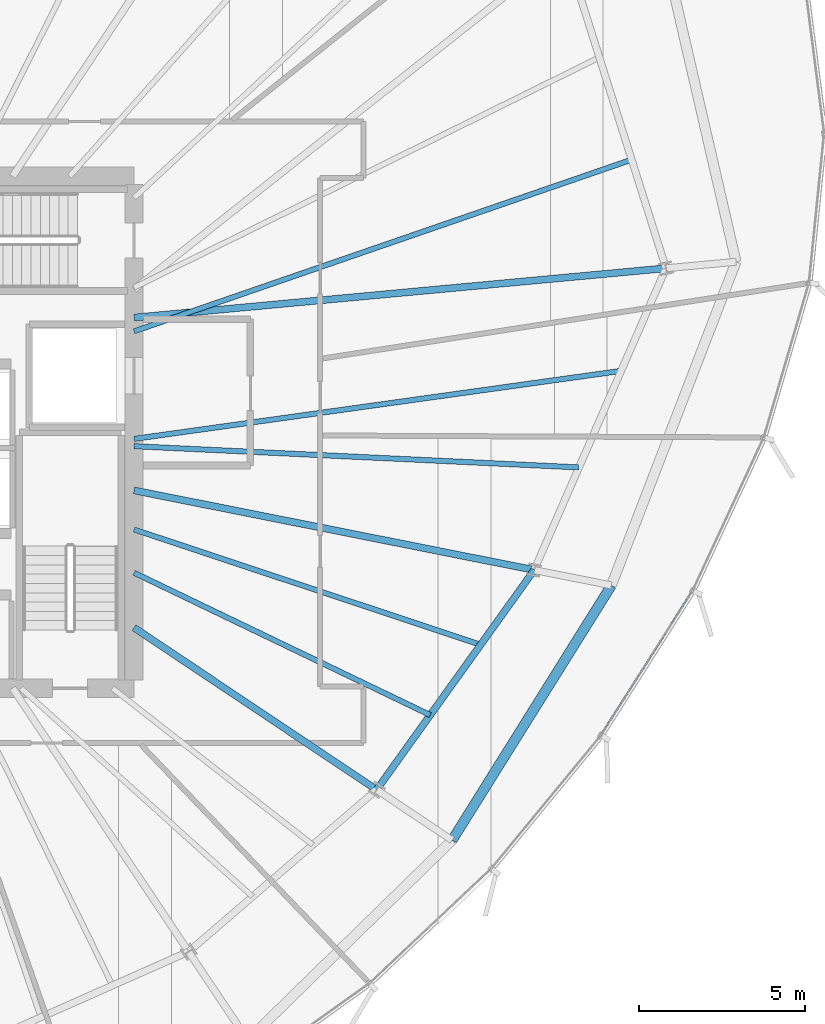
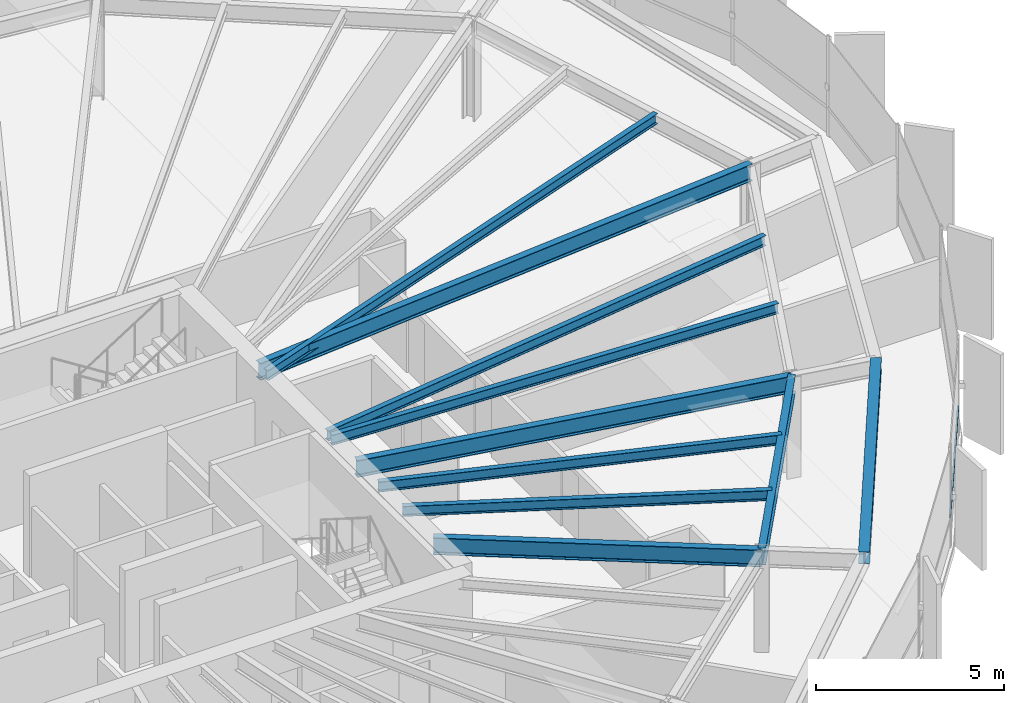
# One storey, part 15 of 32: 10 beams, 1 member, 1 element without a shape of its own.
"""IFC4 building model written with IfcOpenShell, lengths in metres."""

from ifc_helpers import new_model, si_unit, direction, frame, origin, origin_2d, place, context, subcontext, project, spatial, hollow_rectangle, i_section, extrude, source, transform, mapped, material, layer, layer_set, material_profile, profile_set, type_object, element, aggregate, save


model = new_model("IFC4")

# Units and contexts
model_context = context("Model", 3, precision=1e-05, world=origin(), true_north=direction((0.0, 1.0)))
body_context = subcontext(model_context, "Body", "Model", "MODEL_VIEW")
ifc_project = project(units=[si_unit("LENGTHUNIT", "METRE"), si_unit("AREAUNIT", "SQUARE_METRE"), si_unit("VOLUMEUNIT", "CUBIC_METRE"), si_unit("PLANEANGLEUNIT", "RADIAN"), si_unit("MASSUNIT", "GRAM", prefix="KILO"), si_unit("THERMODYNAMICTEMPERATUREUNIT", "KELVIN")], contexts=[model_context])

# Site, building, storey
site_placement = place(None, origin())
site = spatial("IfcSite", under=ifc_project, at=site_placement, CompositionType="ELEMENT")
building_placement = place(site_placement, origin())
building = spatial("IfcBuilding", under=site, at=building_placement, Name="Kethvar Cultural Tower", CompositionType="ELEMENT")
storey_placement = place(building_placement, frame((0.0, 0.0, 160.75)))
storey = spatial("IfcBuildingStorey", under=building, at=storey_placement, Name="L41", CompositionType="ELEMENT", Elevation=160.75)

# Beams
ifc_material_1 = material(Name="Steel S355J2", Category="steel")
ifc_material_profile_1 = material_profile(ifc_material_1, i_section(OverallWidth=0.2099609375, OverallDepth=0.550048828125, WebThickness=0.010986328125, FlangeThickness=0.01708984375, FilletRadius=0.02392578125, at=origin_2d()), Name="Steel S355J2 — IPE550")
ifc_profile_set_1 = profile_set([ifc_material_profile_1], Name="Steel S355J2 — IPE550")
beam_type_1 = type_object("IfcBeamType", Name="BM-IPE550", PredefinedType="BEAM", material=ifc_profile_set_1)
shared_shape_1 = source(origin(), body_context, "Body", "SweptSolid", [
    extrude(i_section(OverallWidth=0.2099609375, OverallDepth=0.550048828125, WebThickness=0.010986328125, FlangeThickness=0.01708984375, FilletRadius=0.02392578125, at=origin_2d()), origin(), (0.0, 0.0, 1.0), 16.071044921875),
])
beam_1_placement = place(storey_placement, frame((55.60009765625, 31.25, 3.02294921875), z_axis=(0.995731009363, 0.092302529718, 0.0), x_axis=(-0.092302529718, 0.995731009363, 0.0)))
element("IfcBeam", 1, at=beam_1_placement, inside=storey, type_object=beam_type_1, Name="L41 Primary Radial Beam RB-01", PredefinedType="BEAM", context=body_context, shape_type="MappedRepresentation", body=[
    mapped(shared_shape_1, transform((0.0, 0.0, 0.0), scale=1.0)),
])
shared_shape_2 = source(origin(), body_context, "Body", "SweptSolid", [
    extrude(i_section(OverallWidth=0.2099609375, OverallDepth=0.550048828125, WebThickness=0.010986328125, FlangeThickness=0.01708984375, FilletRadius=0.02392578125, at=origin_2d()), origin(), (0.0, 0.0, 1.0), 8.77783203125),
])
beam_2_placement = place(storey_placement, frame((55.60009765625, 21.919921875, 3.02294921875), z_axis=(0.831472186778, -0.555566380026, 0.0), x_axis=(0.555566380026, 0.831472186778, 0.0)))
element("IfcBeam", 2, at=beam_2_placement, inside=storey, type_object=beam_type_1, Name="L41 Primary Radial Beam RB-15", PredefinedType="BEAM", context=body_context, shape_type="MappedRepresentation", body=[
    mapped(shared_shape_2, transform((0.0, 0.0, 0.0), scale=1.0)),
])
shared_shape_3 = source(origin(), body_context, "Body", "SweptSolid", [
    extrude(i_section(OverallWidth=0.2099609375, OverallDepth=0.550048828125, WebThickness=0.010986328125, FlangeThickness=0.01708984375, FilletRadius=0.02392578125, at=origin_2d()), origin(), (0.0, 0.0, 1.0), 12.2744140625),
])
beam_3_placement = place(storey_placement, frame((55.60009765625, 26.049560546875, 3.02294921875), z_axis=(0.980782878234, -0.195102398146, 0.0), x_axis=(0.195102398146, 0.980782878234, 0.0)))
element("IfcBeam", 3, at=beam_3_placement, inside=storey, type_object=beam_type_1, Name="L41 Primary Radial Beam RB-16", PredefinedType="BEAM", context=body_context, shape_type="MappedRepresentation", body=[
    mapped(shared_shape_3, transform((0.0, 0.0, 0.0), scale=1.0)),
])
ifc_material_profile_2 = material_profile(ifc_material_1, i_section(OverallWidth=0.159912109375, OverallDepth=0.330078125, WebThickness=0.007568359375, FlangeThickness=0.011474609375, FilletRadius=0.01806640625, at=origin_2d()), Name="Steel S355J2 — IPE330")
ifc_profile_set_2 = profile_set([ifc_material_profile_2], Name="Steel S355J2 — IPE330")
beam_type_2 = type_object("IfcBeamType", Name="BM-J330", PredefinedType="JOIST", material=ifc_profile_set_2)
shared_shape_4 = source(origin(), body_context, "Body", "SweptSolid", [
    extrude(i_section(OverallWidth=0.159912109375, OverallDepth=0.330078125, WebThickness=0.007568359375, FlangeThickness=0.011474609375, FilletRadius=0.01806640625, at=origin_2d()), origin(), (0.0, 0.0, 1.0), 15.836669921875),
])
beam_4_placement = place(storey_placement, frame((55.60009765625, 30.836181640625, 3.133056640625), z_axis=(0.945315135904, 0.326158387644, 0.0), x_axis=(-0.326158387644, 0.945315135904, 0.0)))
element("IfcBeam", 4, at=beam_4_placement, inside=storey, type_object=beam_type_2, Name="L41 Composite Floor Joist J-01A", PredefinedType="JOIST", context=body_context, shape_type="MappedRepresentation", body=[
    mapped(shared_shape_4, transform((0.0, 0.0, 0.0), scale=1.0)),
])
shared_shape_5 = source(origin(), body_context, "Body", "SweptSolid", [
    extrude(i_section(OverallWidth=0.2099609375, OverallDepth=0.550048828125, WebThickness=0.010986328125, FlangeThickness=0.01708984375, FilletRadius=0.02392578125, at=origin_2d()), origin(), (0.0, 0.0, 1.0), 8.13525390625),
])
beam_5_placement = place(storey_placement, frame((62.898681640625, 17.043212890625, 3.02294921875), z_axis=(0.582656731995, 0.812718359988, 0.0), x_axis=(-0.812718359988, 0.582656731995, 0.0)))
element("IfcBeam", 5, at=beam_5_placement, inside=storey, type_object=beam_type_1, Name="L41 Column Ring Tie Beam CR-15", PredefinedType="BEAM", context=body_context, shape_type="MappedRepresentation", body=[
    mapped(shared_shape_5, transform((0.0, 0.0, 0.0), scale=1.0)),
])
shared_shape_6 = source(origin(), body_context, "Body", "SweptSolid", [
    extrude(i_section(OverallWidth=0.159912109375, OverallDepth=0.330078125, WebThickness=0.007568359375, FlangeThickness=0.011474609375, FilletRadius=0.01806640625, at=origin_2d()), origin(), (0.0, 0.0, 1.0), 9.885009765625),
])
beam_6_placement = place(storey_placement, frame((55.60009765625, 23.572021484375, 3.133056640625), z_axis=(0.901369611334, -0.43305060185, 0.0), x_axis=(0.43305060185, 0.901369611334, 0.0)))
element("IfcBeam", 6, at=beam_6_placement, inside=storey, type_object=beam_type_2, Name="L41 Composite Floor Joist J-15A", PredefinedType="JOIST", context=body_context, shape_type="MappedRepresentation", body=[
    mapped(shared_shape_6, transform((0.0, 0.0, 0.0), scale=1.0)),
])
shared_shape_7 = source(origin(), body_context, "Body", "SweptSolid", [
    extrude(i_section(OverallWidth=0.159912109375, OverallDepth=0.330078125, WebThickness=0.007568359375, FlangeThickness=0.011474609375, FilletRadius=0.01806640625, at=origin_2d()), origin(), (0.0, 0.0, 1.0), 10.98828125),
])
beam_7_placement = place(storey_placement, frame((55.60009765625, 24.8740234375, 3.133056640625), z_axis=(0.948918548228, -0.315521138481, 0.0), x_axis=(0.315521138481, 0.948918548228, 0.0)))
element("IfcBeam", 7, at=beam_7_placement, inside=storey, type_object=beam_type_2, Name="L41 Composite Floor Joist J-15B", PredefinedType="JOIST", context=body_context, shape_type="MappedRepresentation", body=[
    mapped(shared_shape_7, transform((0.0, 0.0, 0.0), scale=1.0)),
])
shared_shape_8 = source(origin(), body_context, "Body", "SweptSolid", [
    extrude(i_section(OverallWidth=0.159912109375, OverallDepth=0.330078125, WebThickness=0.007568359375, FlangeThickness=0.011474609375, FilletRadius=0.01806640625, at=origin_2d()), origin(), (0.0, 0.0, 1.0), 13.4013671875),
])
beam_8_placement = place(storey_placement, frame((55.60009765625, 27.380126953125, 3.133056640625), z_axis=(0.998864631653, -0.047638719894, 0.0), x_axis=(0.047638719894, 0.998864631653, 0.0)))
element("IfcBeam", 8, at=beam_8_placement, inside=storey, type_object=beam_type_2, Name="L41 Composite Floor Joist J-16A", PredefinedType="JOIST", context=body_context, shape_type="MappedRepresentation", body=[
    mapped(shared_shape_8, transform((0.0, 0.0, 0.0), scale=1.0)),
])
shared_shape_9 = source(origin(), body_context, "Body", "SweptSolid", [
    extrude(i_section(OverallWidth=0.159912109375, OverallDepth=0.330078125, WebThickness=0.007568359375, FlangeThickness=0.011474609375, FilletRadius=0.01806640625, at=origin_2d()), origin(), (0.0, 0.0, 1.0), 14.797119140625),
])
beam_9_placement = place(storey_placement, frame((55.60009765625, 27.60009765625, 3.133056640625), z_axis=(0.990388450305, 0.138313836986, 0.0), x_axis=(-0.138313836986, 0.990388450305, 0.0)))
element("IfcBeam", 9, at=beam_9_placement, inside=storey, type_object=beam_type_2, Name="L41 Composite Floor Joist J-16B", PredefinedType="JOIST", context=body_context, shape_type="MappedRepresentation", body=[
    mapped(shared_shape_9, transform((0.0, 0.0, 0.0), scale=1.0)),
])
ifc_material_profile_3 = material_profile(ifc_material_1, i_section(OverallWidth=0.300048828125, OverallDepth=0.39990234375, WebThickness=0.013427734375, FlangeThickness=0.02392578125, FilletRadius=0.027099609375, at=origin_2d()), Name="Steel S355J2 — HEB400")
ifc_profile_set_3 = profile_set([ifc_material_profile_3], Name="Steel S355J2 — HEB400")
beam_type_3 = type_object("IfcBeamType", Name="BM-SP400", PredefinedType="SPANDREL", material=ifc_profile_set_3)
shared_shape_10 = source(origin(), body_context, "Body", "SweptSolid", [
    extrude(i_section(OverallWidth=0.300048828125, OverallDepth=0.39990234375, WebThickness=0.013427734375, FlangeThickness=0.02392578125, FilletRadius=0.027099609375, at=origin_2d()), origin(), (0.0, 0.0, 1.0), 9.04150390625),
])
beam_10_placement = place(storey_placement, frame((65.1689453125, 15.526123046875, 3.097900390625), z_axis=(0.530079033878, 0.847948240073, 0.0), x_axis=(-0.847948240073, 0.530079033878, 0.0)))
element("IfcBeam", 10, at=beam_10_placement, inside=storey, type_object=beam_type_3, Name="L41 Perimeter Spandrel Beam SP-15", PredefinedType="SPANDREL", context=body_context, shape_type="MappedRepresentation", body=[
    mapped(shared_shape_10, transform((0.0, 0.0, 0.0), scale=1.0)),
])

# Curtain wall, member
ifc_material_2 = material(Name="Aluminium 6063-T6", Category="aluminium")
ifc_layer = layer(ifc_material_2, 0.179931640625, Name="Aluminium 6063-T6", Category="aluminium")
ifc_layer_set = layer_set([ifc_layer], Name="Aluminium 6063-T6 (180 mm)")
curtain_wall_type = type_object("IfcCurtainWallType", Name="CW-SYS-04-Z34", PredefinedType="NOTDEFINED", material=ifc_layer_set)
curtain_wall_placement = place(storey_placement, origin())
curtain_wall = element("IfcCurtainWall", 11, at=curtain_wall_placement, inside=storey, type_object=curtain_wall_type, Name="L41 Curtain Wall Run 06", PredefinedType="NOTDEFINED")
ifc_material_profile_4 = material_profile(ifc_material_2, hollow_rectangle(XDim=0.050048828125, YDim=0.10009765625, WallThickness=0.00390625, at=origin_2d()), Name="Aluminium 6063-T6 — RHS100x50x4")
ifc_profile_set_4 = profile_set([ifc_material_profile_4], Name="Aluminium 6063-T6 — RHS100x50x4")
member_type = type_object("IfcMemberType", Name="CW-SYS-04-Z34-TRN", PredefinedType="USERDEFINED", material=ifc_profile_set_4)
shared_shape_11 = source(origin(), body_context, "Body", "SweptSolid", [
    extrude(hollow_rectangle(XDim=0.050048828125, YDim=0.10009765625, WallThickness=0.00390625, at=origin_2d()), origin(), (0.0, 0.0, 1.0), 5.1103515625),
])
member_placement = place(storey_placement, frame((69.650390625, 18.6962890625, 0.949951171875), z_axis=(0.535492994307, 0.844539669316, 0.0), x_axis=(-0.844539669316, 0.535492994307, 0.0)))
member = element("IfcMember", 12, at=member_placement, type_object=member_type, Name="CW-L41-R06 Transom 1", ObjectType="TRANSOM", PredefinedType="USERDEFINED", context=body_context, shape_type="MappedRepresentation", body=[
    mapped(shared_shape_11, transform((0.0, 0.0, 0.0), scale=1.0)),
])
aggregate(curtain_wall, [member])

save(model, "model.ifc")
